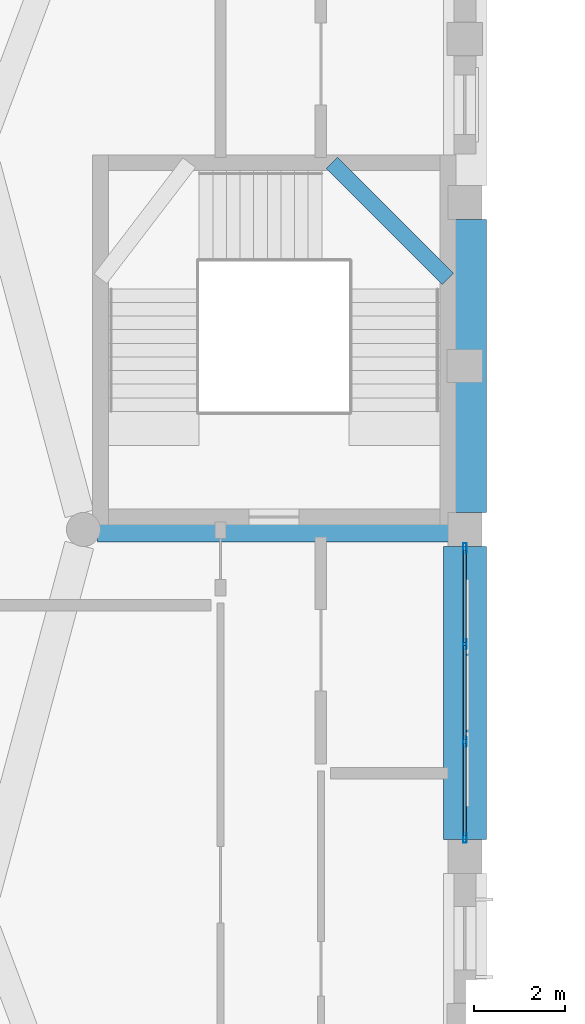
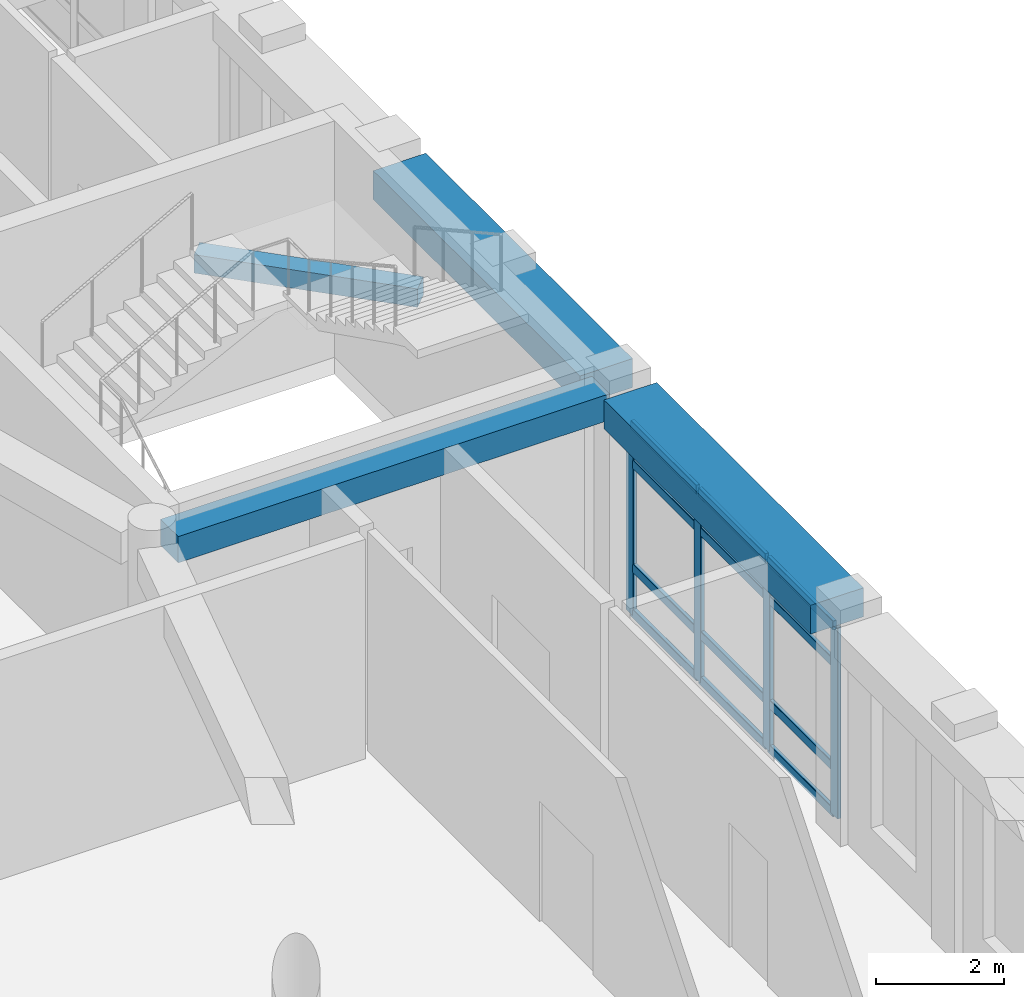
# One storey, part 30 of 111: 16 members, 4 beams, 1 element without a shape of its own.
"""IFC4 building model written with IfcOpenShell, lengths in metres."""

from ifc_helpers import new_model, si_unit, derived_unit, direction, frame, origin, origin_2d, place, context, subcontext, project, spatial, rectangle, hollow_rectangle, extrude, material, material_profile, profile_set, type_object, element, aggregate, save


model = new_model("IFC4")

# Units and contexts
model_context = context("Model", 3, precision=1e-05, world=origin(), true_north=direction((0.0, 1.0)))
body_context = subcontext(model_context, "Body", "Model", "MODEL_VIEW")
ifc_project = project(units=[si_unit("LENGTHUNIT", "METRE"), si_unit("AREAUNIT", "SQUARE_METRE"), si_unit("VOLUMEUNIT", "CUBIC_METRE"), si_unit("PLANEANGLEUNIT", "RADIAN"), si_unit("MASSUNIT", "GRAM", prefix="KILO"), derived_unit("THERMALTRANSMITTANCEUNIT", [(si_unit("POWERUNIT", "WATT"), 1), (si_unit("LENGTHUNIT", "METRE"), -2), (si_unit("THERMODYNAMICTEMPERATUREUNIT", "KELVIN"), -1)])], contexts=[model_context])

# Site, building, storey
site_placement = place(None, origin())
site = spatial("IfcSite", under=ifc_project, at=site_placement, CompositionType="ELEMENT")
building_placement = place(site_placement, origin())
building = spatial("IfcBuilding", under=site, at=building_placement, Name="Veybourne Emporium", CompositionType="ELEMENT")
storey_placement = place(building_placement, frame((0.0, 0.0, 9.89990234375)))
storey = spatial("IfcBuildingStorey", under=building, at=storey_placement, Name="L02", CompositionType="ELEMENT", Elevation=9.89990234375)

# Curtain wall, members
ifc_material_1 = material(Name="Patinated Architectural Bronze", Category="bronze")
curtain_wall_type = type_object("IfcCurtainWallType", Name="CWSystem_CWS-21", PredefinedType="NOTDEFINED", material=ifc_material_1)
curtain_wall_placement = place(storey_placement, origin())
curtain_wall = element("IfcCurtainWall", 1, at=curtain_wall_placement, inside=storey, type_object=curtain_wall_type, Name="L02 bronze glazed curtain wall CWS-21 (051)", PredefinedType="NOTDEFINED")
ifc_material_profile_1 = material_profile(ifc_material_1, hollow_rectangle(XDim=0.072021484375, YDim=0.22509765625, WallThickness=0.0048828125, InnerFilletRadius=0.007568359375, OuterFilletRadius=0.012451171875, at=origin_2d()), Name="CWM 72x225x5")
ifc_profile_set_1 = profile_set([ifc_material_profile_1], Name="Patinated Architectural Bronze")
member_type_1 = type_object("IfcMemberType", Name="CWMullion_CW-M1", PredefinedType="MULLION", material=ifc_profile_set_1)
member_1_placement = place(storey_placement, frame((100.800048828125, 49.989013671875, 0.0), z_axis=(0.0, 0.0, 1.0), x_axis=(1.0, 0.0, 0.0)))
member_1 = element("IfcMember", 2, at=member_1_placement, type_object=member_type_1, Name="CWS-21 mullion 1", PredefinedType="MULLION", context=body_context, shape_type="SweptSolid", body=[
    extrude(hollow_rectangle(XDim=0.072021484375, YDim=0.22509765625, WallThickness=0.0048828125, InnerFilletRadius=0.007568359375, OuterFilletRadius=0.012451171875, at=origin_2d()), origin(), (0.0, 0.0, 1.0), 3.630126953125),
])
member_2_placement = place(storey_placement, frame((100.800048828125, 47.875, 0.0), z_axis=(0.0, 0.0, 1.0), x_axis=(1.0, 0.0, 0.0)))
member_2 = element("IfcMember", 3, at=member_2_placement, type_object=member_type_1, Name="CWS-21 mullion 2", PredefinedType="MULLION", context=body_context, shape_type="SweptSolid", body=[
    extrude(hollow_rectangle(XDim=0.072021484375, YDim=0.22509765625, WallThickness=0.0048828125, InnerFilletRadius=0.007568359375, OuterFilletRadius=0.012451171875, at=origin_2d()), origin(), (0.0, 0.0, 1.0), 3.630126953125),
])
member_3_placement = place(storey_placement, frame((100.800048828125, 45.72509765625, 0.0), z_axis=(0.0, 0.0, 1.0), x_axis=(1.0, 0.0, 0.0)))
member_3 = element("IfcMember", 4, at=member_3_placement, type_object=member_type_1, Name="CWS-21 mullion 3", PredefinedType="MULLION", context=body_context, shape_type="SweptSolid", body=[
    extrude(hollow_rectangle(XDim=0.072021484375, YDim=0.22509765625, WallThickness=0.0048828125, InnerFilletRadius=0.007568359375, OuterFilletRadius=0.012451171875, at=origin_2d()), origin(), (0.0, 0.0, 1.0), 3.630126953125),
])
member_4_placement = place(storey_placement, frame((100.800048828125, 43.611083984375, 0.0), z_axis=(0.0, 0.0, 1.0), x_axis=(1.0, 0.0, 0.0)))
member_4 = element("IfcMember", 5, at=member_4_placement, type_object=member_type_1, Name="CWS-21 mullion 4", PredefinedType="MULLION", context=body_context, shape_type="SweptSolid", body=[
    extrude(hollow_rectangle(XDim=0.072021484375, YDim=0.22509765625, WallThickness=0.0048828125, InnerFilletRadius=0.007568359375, OuterFilletRadius=0.012451171875, at=origin_2d()), origin(), (0.0, 0.0, 1.0), 3.630126953125),
])
ifc_material_profile_2 = material_profile(ifc_material_1, hollow_rectangle(XDim=0.072021484375, YDim=0.175048828125, WallThickness=0.0048828125, InnerFilletRadius=0.007568359375, OuterFilletRadius=0.012451171875, at=origin_2d()), Name="CWT 72x175x5")
ifc_profile_set_2 = profile_set([ifc_material_profile_2], Name="Patinated Architectural Bronze")
member_type_2 = type_object("IfcMemberType", Name="CWTransom_CW-T1", PredefinedType="NOTDEFINED", material=ifc_profile_set_2)
member_5_placement = place(storey_placement, frame((100.800048828125, 49.952880859375, 0.0361328125), z_axis=(0.0, -1.0, 0.0), x_axis=(1.0, 0.0, 0.0)))
member_5 = element("IfcMember", 6, at=member_5_placement, type_object=member_type_2, Name="CWS-21 transom 1.1", ObjectType="TRANSOM", PredefinedType="USERDEFINED", context=body_context, shape_type="SweptSolid", body=[
    extrude(hollow_rectangle(XDim=0.072021484375, YDim=0.175048828125, WallThickness=0.0048828125, InnerFilletRadius=0.007568359375, OuterFilletRadius=0.012451171875, at=origin_2d()), origin(), (0.0, 0.0, 1.0), 2.0419921875),
])
member_6_placement = place(storey_placement, frame((100.800048828125, 49.952880859375, 0.900146484375), z_axis=(0.0, -1.0, 0.0), x_axis=(1.0, 0.0, 0.0)))
member_6 = element("IfcMember", 7, at=member_6_placement, type_object=member_type_2, Name="CWS-21 transom 1.2", ObjectType="TRANSOM", PredefinedType="USERDEFINED", context=body_context, shape_type="SweptSolid", body=[
    extrude(hollow_rectangle(XDim=0.072021484375, YDim=0.175048828125, WallThickness=0.0048828125, InnerFilletRadius=0.007568359375, OuterFilletRadius=0.012451171875, at=origin_2d()), origin(), (0.0, 0.0, 1.0), 2.0419921875),
])
member_7_placement = place(storey_placement, frame((100.800048828125, 49.952880859375, 2.880126953125), z_axis=(0.0, -1.0, 0.0), x_axis=(1.0, 0.0, 0.0)))
member_7 = element("IfcMember", 8, at=member_7_placement, type_object=member_type_2, Name="CWS-21 transom 1.3", ObjectType="TRANSOM", PredefinedType="USERDEFINED", context=body_context, shape_type="SweptSolid", body=[
    extrude(hollow_rectangle(XDim=0.072021484375, YDim=0.175048828125, WallThickness=0.0048828125, InnerFilletRadius=0.007568359375, OuterFilletRadius=0.012451171875, at=origin_2d()), origin(), (0.0, 0.0, 1.0), 2.0419921875),
])
member_8_placement = place(storey_placement, frame((100.800048828125, 49.952880859375, 3.593994140625), z_axis=(0.0, -1.0, 0.0), x_axis=(1.0, 0.0, 0.0)))
member_8 = element("IfcMember", 9, at=member_8_placement, type_object=member_type_2, Name="CWS-21 transom 1.4", ObjectType="TRANSOM", PredefinedType="USERDEFINED", context=body_context, shape_type="SweptSolid", body=[
    extrude(hollow_rectangle(XDim=0.072021484375, YDim=0.175048828125, WallThickness=0.0048828125, InnerFilletRadius=0.007568359375, OuterFilletRadius=0.012451171875, at=origin_2d()), origin(), (0.0, 0.0, 1.0), 2.0419921875),
])
member_9_placement = place(storey_placement, frame((100.800048828125, 47.839111328125, 0.0361328125), z_axis=(0.0, -1.0, 0.0), x_axis=(1.0, 0.0, 0.0)))
member_9 = element("IfcMember", 10, at=member_9_placement, type_object=member_type_2, Name="CWS-21 transom 2.1", ObjectType="TRANSOM", PredefinedType="USERDEFINED", context=body_context, shape_type="SweptSolid", body=[
    extrude(hollow_rectangle(XDim=0.072021484375, YDim=0.175048828125, WallThickness=0.0048828125, InnerFilletRadius=0.007568359375, OuterFilletRadius=0.012451171875, at=origin_2d()), origin(), (0.0, 0.0, 1.0), 2.078125),
])
member_10_placement = place(storey_placement, frame((100.800048828125, 47.839111328125, 0.900146484375), z_axis=(0.0, -1.0, 0.0), x_axis=(1.0, 0.0, 0.0)))
member_10 = element("IfcMember", 11, at=member_10_placement, type_object=member_type_2, Name="CWS-21 transom 2.2", ObjectType="TRANSOM", PredefinedType="USERDEFINED", context=body_context, shape_type="SweptSolid", body=[
    extrude(hollow_rectangle(XDim=0.072021484375, YDim=0.175048828125, WallThickness=0.0048828125, InnerFilletRadius=0.007568359375, OuterFilletRadius=0.012451171875, at=origin_2d()), origin(), (0.0, 0.0, 1.0), 2.078125),
])
member_11_placement = place(storey_placement, frame((100.800048828125, 47.839111328125, 2.880126953125), z_axis=(0.0, -1.0, 0.0), x_axis=(1.0, 0.0, 0.0)))
member_11 = element("IfcMember", 12, at=member_11_placement, type_object=member_type_2, Name="CWS-21 transom 2.3", ObjectType="TRANSOM", PredefinedType="USERDEFINED", context=body_context, shape_type="SweptSolid", body=[
    extrude(hollow_rectangle(XDim=0.072021484375, YDim=0.175048828125, WallThickness=0.0048828125, InnerFilletRadius=0.007568359375, OuterFilletRadius=0.012451171875, at=origin_2d()), origin(), (0.0, 0.0, 1.0), 2.078125),
])
member_12_placement = place(storey_placement, frame((100.800048828125, 47.839111328125, 3.593994140625), z_axis=(0.0, -1.0, 0.0), x_axis=(1.0, 0.0, 0.0)))
member_12 = element("IfcMember", 13, at=member_12_placement, type_object=member_type_2, Name="CWS-21 transom 2.4", ObjectType="TRANSOM", PredefinedType="USERDEFINED", context=body_context, shape_type="SweptSolid", body=[
    extrude(hollow_rectangle(XDim=0.072021484375, YDim=0.175048828125, WallThickness=0.0048828125, InnerFilletRadius=0.007568359375, OuterFilletRadius=0.012451171875, at=origin_2d()), origin(), (0.0, 0.0, 1.0), 2.078125),
])
member_13_placement = place(storey_placement, frame((100.800048828125, 45.68896484375, 0.0361328125), z_axis=(0.0, -1.0, 0.0), x_axis=(1.0, 0.0, 0.0)))
member_13 = element("IfcMember", 14, at=member_13_placement, type_object=member_type_2, Name="CWS-21 transom 3.1", ObjectType="TRANSOM", PredefinedType="USERDEFINED", context=body_context, shape_type="SweptSolid", body=[
    extrude(hollow_rectangle(XDim=0.072021484375, YDim=0.175048828125, WallThickness=0.0048828125, InnerFilletRadius=0.007568359375, OuterFilletRadius=0.012451171875, at=origin_2d()), origin(), (0.0, 0.0, 1.0), 2.0419921875),
])
member_14_placement = place(storey_placement, frame((100.800048828125, 45.68896484375, 0.900146484375), z_axis=(0.0, -1.0, 0.0), x_axis=(1.0, 0.0, 0.0)))
member_14 = element("IfcMember", 15, at=member_14_placement, type_object=member_type_2, Name="CWS-21 transom 3.2", ObjectType="TRANSOM", PredefinedType="USERDEFINED", context=body_context, shape_type="SweptSolid", body=[
    extrude(hollow_rectangle(XDim=0.072021484375, YDim=0.175048828125, WallThickness=0.0048828125, InnerFilletRadius=0.007568359375, OuterFilletRadius=0.012451171875, at=origin_2d()), origin(), (0.0, 0.0, 1.0), 2.0419921875),
])
member_15_placement = place(storey_placement, frame((100.800048828125, 45.68896484375, 2.880126953125), z_axis=(0.0, -1.0, 0.0), x_axis=(1.0, 0.0, 0.0)))
member_15 = element("IfcMember", 16, at=member_15_placement, type_object=member_type_2, Name="CWS-21 transom 3.3", ObjectType="TRANSOM", PredefinedType="USERDEFINED", context=body_context, shape_type="SweptSolid", body=[
    extrude(hollow_rectangle(XDim=0.072021484375, YDim=0.175048828125, WallThickness=0.0048828125, InnerFilletRadius=0.007568359375, OuterFilletRadius=0.012451171875, at=origin_2d()), origin(), (0.0, 0.0, 1.0), 2.0419921875),
])
member_16_placement = place(storey_placement, frame((100.800048828125, 45.68896484375, 3.593994140625), z_axis=(0.0, -1.0, 0.0), x_axis=(1.0, 0.0, 0.0)))
member_16 = element("IfcMember", 17, at=member_16_placement, type_object=member_type_2, Name="CWS-21 transom 3.4", ObjectType="TRANSOM", PredefinedType="USERDEFINED", context=body_context, shape_type="SweptSolid", body=[
    extrude(hollow_rectangle(XDim=0.072021484375, YDim=0.175048828125, WallThickness=0.0048828125, InnerFilletRadius=0.007568359375, OuterFilletRadius=0.012451171875, at=origin_2d()), origin(), (0.0, 0.0, 1.0), 2.0419921875),
])
aggregate(curtain_wall, [member_1, member_2, member_3, member_4, member_5, member_6, member_7, member_8, member_9, member_10, member_11, member_12, member_13, member_14, member_15, member_16])

# Beams
ifc_material_2 = material(Name="Concrete C32/40", Category="concrete")
ifc_material_profile_3 = material_profile(ifc_material_2, rectangle(XDim=0.35009765625, YDim=0.35009765625, at=origin_2d()), Name="RC 350x350")
ifc_profile_set_3 = profile_set([ifc_material_profile_3], Name="Concrete C32/40")
beam_type_1 = type_object("IfcBeamType", Name="LandingBeam_LB-01", PredefinedType="BEAM", material=ifc_profile_set_3)
beam_1_placement = place(storey_placement, frame((97.8701171875, 58.47509765625, 2.625), z_axis=(0.707072997628, -0.707140563131, 0.0), x_axis=(0.707140563131, 0.707072997628, 0.0)))
element("IfcBeam", 18, at=beam_1_placement, inside=storey, type_object=beam_type_1, Name="L02 ST-07 landing 2 support beam", PredefinedType="BEAM", context=body_context, shape_type="SweptSolid", body=[
    extrude(rectangle(XDim=0.35009765625, YDim=0.35009765625, at=origin_2d()), origin(), (0.0, 0.0, 1.0), 3.61328125),
])
ifc_material_profile_4 = material_profile(ifc_material_2, rectangle(XDim=0.949951171875, YDim=0.550048828125, at=origin_2d()), Name="RC 950x550")
ifc_profile_set_4 = profile_set([ifc_material_profile_4], Name="Concrete C32/40")
beam_type_2 = type_object("IfcBeamType", Name="RCBeam_EB-01", PredefinedType="SPANDREL", material=ifc_profile_set_4)
beam_2_placement = place(storey_placement, frame((100.800048828125, 43.574951171875, 3.905029296875), z_axis=(0.0, 1.0, 0.0), x_axis=(-1.0, 0.0, 0.0)))
element("IfcBeam", 19, at=beam_2_placement, inside=storey, type_object=beam_type_2, Name="L02 Y-grid beam EB-01 (12,6)", PredefinedType="SPANDREL", context=body_context, shape_type="SweptSolid", body=[
    extrude(rectangle(XDim=0.949951171875, YDim=0.550048828125, at=origin_2d()), origin(), (0.0, 0.0, 1.0), 6.449951171875),
])
beam_3_placement = place(storey_placement, frame((100.800048828125, 50.77490234375, 3.905029296875), z_axis=(0.0, 1.0, 0.0), x_axis=(-1.0, 0.0, 0.0)))
element("IfcBeam", 20, at=beam_3_placement, inside=storey, type_object=beam_type_2, Name="L02 Y-grid beam EB-01 (12,7)", PredefinedType="SPANDREL", context=body_context, shape_type="SweptSolid", body=[
    extrude(rectangle(XDim=0.949951171875, YDim=0.550048828125, at=origin_2d()), origin(), (0.0, 0.0, 1.0), 6.4501953125),
])
ifc_material_profile_5 = material_profile(ifc_material_2, rectangle(XDim=0.550048828125, YDim=0.5, at=origin_2d()), Name="RC 550x500")
ifc_profile_set_5 = profile_set([ifc_material_profile_5], Name="Concrete C32/40")
beam_type_3 = type_object("IfcBeamType", Name="RCBeam_TB-01", PredefinedType="BEAM", material=ifc_profile_set_5)
beam_4_placement = place(storey_placement, frame((92.715087890625, 50.39990234375, 3.93017578125), z_axis=(1.0, 0.0, 0.0), x_axis=(0.0, 1.0, 0.0)))
element("IfcBeam", 21, at=beam_4_placement, inside=storey, type_object=beam_type_3, Name="Atrium radial tie beam L02-01", PredefinedType="BEAM", context=body_context, shape_type="SweptSolid", body=[
    extrude(rectangle(XDim=0.550048828125, YDim=0.5, at=origin_2d()), origin(), (0.0, 0.0, 1.0), 7.77001953125),
])

save(model, "model.ifc")
